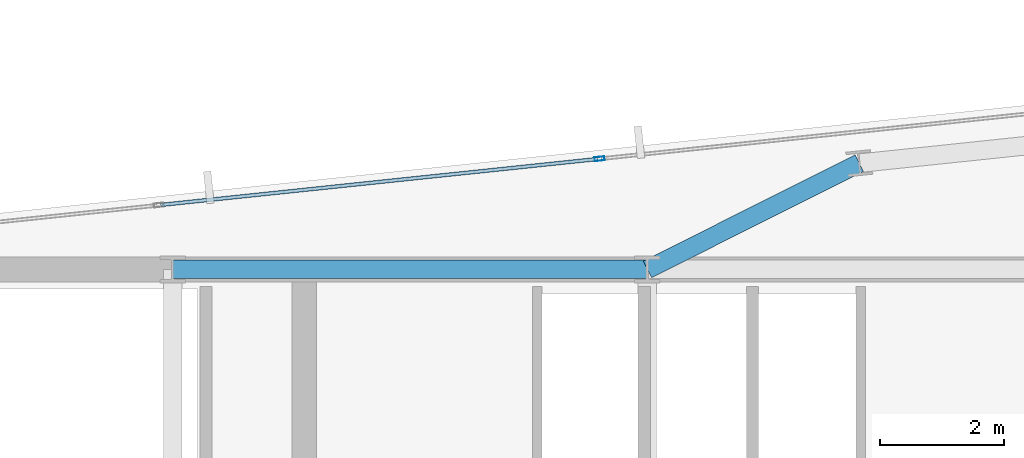
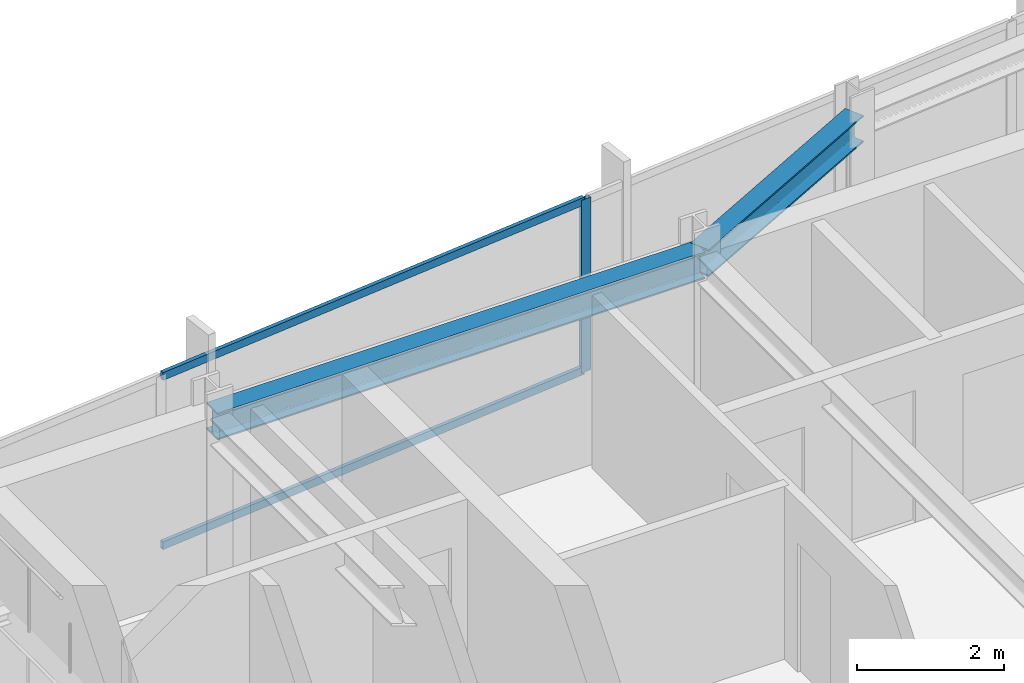
# One storey, part 21 of 33: 3 members, 2 beams, 1 element without a shape of its own.
"""IFC4 building model written with IfcOpenShell, lengths in metres."""

from ifc_helpers import new_model, si_unit, direction, frame, origin, origin_2d, place, context, subcontext, project, spatial, hollow_rectangle, i_section, extrude, material, material_profile, profile_set, type_object, element, aggregate, save


model = new_model("IFC4")

# Units and contexts
model_context = context("Model", 3, precision=1e-05, world=origin(), true_north=direction((0.0, 1.0)))
body_context = subcontext(model_context, "Body", "Model", "MODEL_VIEW")
ifc_project = project(units=[si_unit("LENGTHUNIT", "METRE"), si_unit("AREAUNIT", "SQUARE_METRE"), si_unit("VOLUMEUNIT", "CUBIC_METRE"), si_unit("PLANEANGLEUNIT", "RADIAN"), si_unit("MASSUNIT", "GRAM", prefix="KILO")], contexts=[model_context])

# Site, building, storey
site_placement = place(None, origin())
site = spatial("IfcSite", under=ifc_project, at=site_placement, CompositionType="ELEMENT")
building_placement = place(site_placement, origin())
building = spatial("IfcBuilding", under=site, at=building_placement, Name="Yelkora Congress Tower", CompositionType="ELEMENT")
storey_placement = place(building_placement, frame((0.0, 0.0, 244.10009765625)))
storey = spatial("IfcBuildingStorey", under=building, at=storey_placement, Name="L68", CompositionType="ELEMENT", Elevation=244.10009765625)

# Beams
ifc_material_1 = material(Name="Steel S355J2", Category="steel")
ifc_material_profile_1 = material_profile(ifc_material_1, i_section(OverallWidth=0.300048828125, OverallDepth=0.449951171875, WebThickness=0.013916015625, FlangeThickness=0.02587890625, FilletRadius=0.027099609375, at=origin_2d()), Name="HEB 450")
ifc_profile_set_1 = profile_set([ifc_material_profile_1], Name="Steel S355J2")
beam_type = type_object("IfcBeamType", Name="BM-GIRD-HEB450", PredefinedType="BEAM", material=ifc_profile_set_1)
beam_1_placement = place(storey_placement, frame((30.719970703125, 46.199951171875, 2.65478515625), z_axis=(1.0, 0.0, 0.0), x_axis=(0.0, 1.0, 0.0)))
element("IfcBeam", 1, at=beam_1_placement, inside=storey, type_object=beam_type, Name="L68 Core North Girder 3", PredefinedType="BEAM", context=body_context, shape_type="SweptSolid", body=[
    extrude(i_section(OverallWidth=0.300048828125, OverallDepth=0.449951171875, WebThickness=0.013916015625, FlangeThickness=0.02587890625, FilletRadius=0.027099609375, at=origin_2d()), origin(), (0.0, 0.0, 1.0), 7.679931640625),
])
beam_2_placement = place(storey_placement, frame((41.828125, 47.91748046875, 2.65478515625), z_axis=(-0.894070348256, -0.447926570288, 0.0), x_axis=(0.447926570288, -0.894070348256, 0.0)))
element("IfcBeam", 2, at=beam_2_placement, inside=storey, type_object=beam_type, Name="L68 Primary Frame Girder N04", PredefinedType="BEAM", context=body_context, shape_type="SweptSolid", body=[
    extrude(i_section(OverallWidth=0.300048828125, OverallDepth=0.449951171875, WebThickness=0.013916015625, FlangeThickness=0.02587890625, FilletRadius=0.027099609375, at=origin_2d()), origin(), (0.0, 0.0, 1.0), 3.83447265625),
])

# Curtain wall, members
ifc_material_2 = material(Name="Anodised aluminium and insulated glass", Category="aluminium")
curtain_wall_type = type_object("IfcCurtainWallType", Name="CW-SYS-B4", PredefinedType="NOTDEFINED", material=ifc_material_2)
curtain_wall_placement = place(storey_placement, origin())
curtain_wall = element("IfcCurtainWall", 3, at=curtain_wall_placement, inside=storey, type_object=curtain_wall_type, Name="L68 Unitised Curtain Wall 10 (3)", PredefinedType="NOTDEFINED")
ifc_material_3 = material(Name="Anodised aluminium 6063-T6", Category="aluminium")
ifc_material_profile_2 = material_profile(ifc_material_3, hollow_rectangle(XDim=0.06494140625, YDim=0.159912109375, WallThickness=0.00390625, at=origin_2d()), Name="ALU 65x160x4")
ifc_profile_set_2 = profile_set([ifc_material_profile_2], Name="Anodised aluminium 6063-T6")
member_type_1 = type_object("IfcMemberType", Name="MEM-ML-B4", PredefinedType="MULLION", material=ifc_profile_set_2)
member_1_placement = place(storey_placement, frame((37.62744140625, 47.98876953125, 0.0), z_axis=(0.0, 0.0, 1.0), x_axis=(-0.104527724021, 0.994521973066, 0.0)))
member_1 = element("IfcMember", 4, at=member_1_placement, type_object=member_type_1, Name="CW-B4 mullion 3", PredefinedType="MULLION", context=body_context, shape_type="SweptSolid", body=[
    extrude(hollow_rectangle(XDim=0.06494140625, YDim=0.159912109375, WallThickness=0.00390625, at=origin_2d()), origin(), (0.0, 0.0, 1.0), 2.8798828125),
])
ifc_material_profile_3 = material_profile(ifc_material_3, hollow_rectangle(XDim=0.06005859375, YDim=0.1298828125, WallThickness=0.00390625, at=origin_2d()), Name="ALU 60x130x4")
ifc_profile_set_3 = profile_set([ifc_material_profile_3], Name="Anodised aluminium 6063-T6")
member_type_2 = type_object("IfcMemberType", Name="MEM-TR-B4", PredefinedType="USERDEFINED", material=ifc_profile_set_3)
member_2_placement = place(storey_placement, frame((30.529052734375, 47.24267578125, 0.02978515625), z_axis=(0.99452200925, 0.104527379751, 0.0), x_axis=(-0.104527379751, 0.99452200925, 0.0)))
member_2 = element("IfcMember", 5, at=member_2_placement, type_object=member_type_2, Name="CW-B4 transom 2.1", ObjectType="TRANSOM", PredefinedType="USERDEFINED", context=body_context, shape_type="SweptSolid", body=[
    extrude(hollow_rectangle(XDim=0.06005859375, YDim=0.1298828125, WallThickness=0.00390625, at=origin_2d()), origin(), (0.0, 0.0, 1.0), 7.10498046875),
])
member_3_placement = place(storey_placement, frame((30.529052734375, 47.24267578125, 2.849853515625), z_axis=(0.99452200925, 0.104527379751, 0.0), x_axis=(-0.104527379751, 0.99452200925, 0.0)))
member_3 = element("IfcMember", 6, at=member_3_placement, type_object=member_type_2, Name="CW-B4 transom 2.2", ObjectType="TRANSOM", PredefinedType="USERDEFINED", context=body_context, shape_type="SweptSolid", body=[
    extrude(hollow_rectangle(XDim=0.06005859375, YDim=0.1298828125, WallThickness=0.00390625, at=origin_2d()), origin(), (0.0, 0.0, 1.0), 7.10498046875),
])
aggregate(curtain_wall, [member_1, member_2, member_3])

save(model, "model.ifc")
